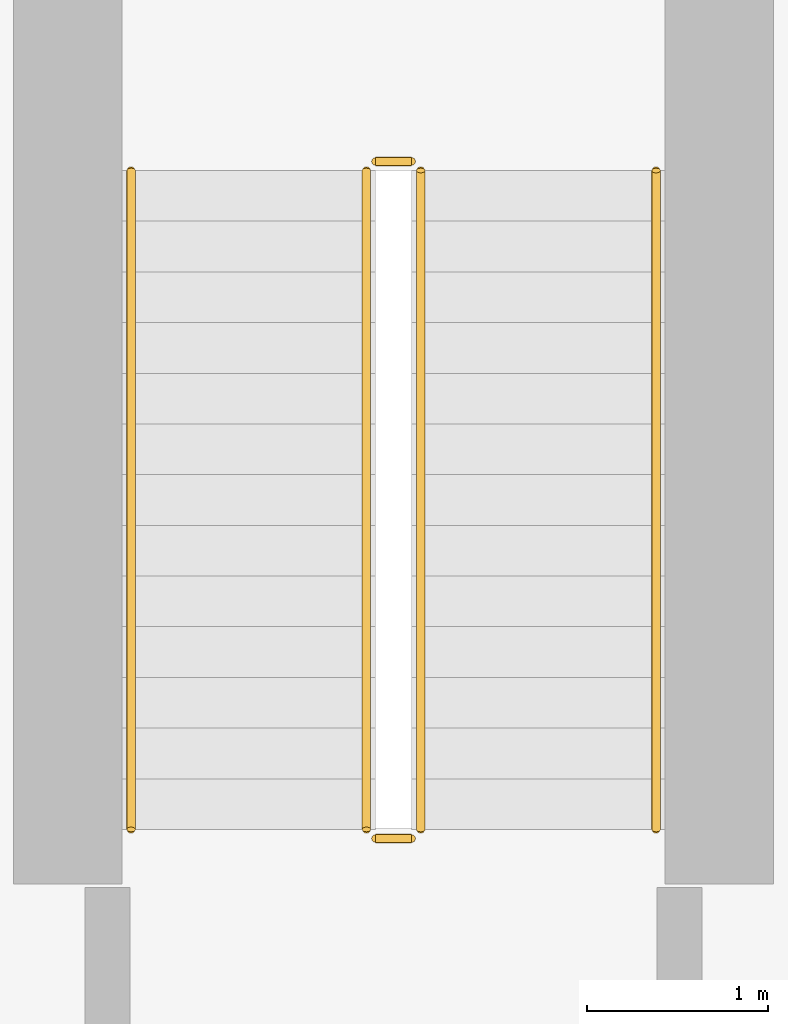
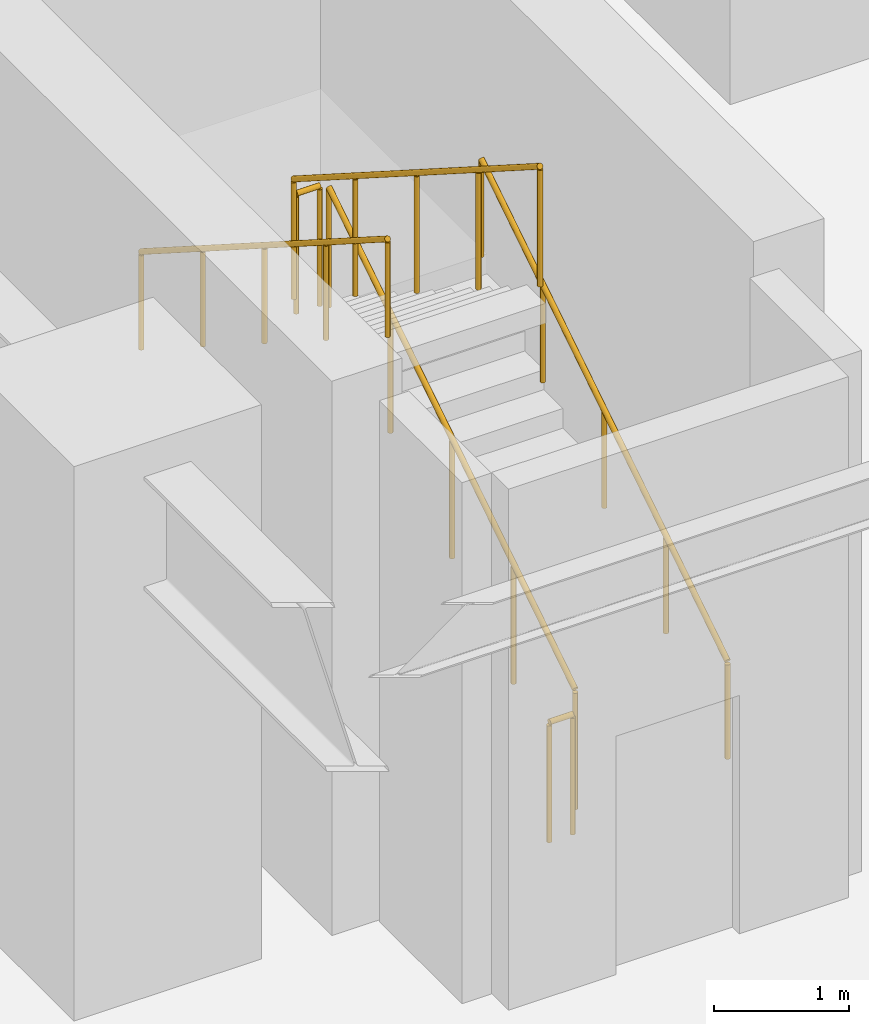
# One storey, part 11 of 12: 6 railings.
"""IFC4 building model written with IfcOpenShell, lengths in metres."""

from ifc_helpers import new_model, si_unit, direction, frame, origin, origin_2d, place, context, subcontext, project, spatial, circle, extrude, material, type_object, element, save


model = new_model("IFC4")

# Units and contexts
model_context = context("Model", 3, precision=1e-05, world=origin(), true_north=direction((0.0, 1.0)))
body_context = subcontext(model_context, "Body", "Model", "MODEL_VIEW")
ifc_project = project(units=[si_unit("LENGTHUNIT", "METRE"), si_unit("AREAUNIT", "SQUARE_METRE"), si_unit("VOLUMEUNIT", "CUBIC_METRE"), si_unit("PLANEANGLEUNIT", "RADIAN"), si_unit("MASSUNIT", "GRAM", prefix="KILO")], contexts=[model_context])

# Site, building, storey
site_placement = place(None, origin())
site = spatial("IfcSite", under=ifc_project, at=site_placement, CompositionType="ELEMENT")
building_placement = place(site_placement, origin())
building = spatial("IfcBuilding", under=site, at=building_placement, Name="Quenlor Broadcast Tower", CompositionType="ELEMENT")
storey_placement = place(building_placement, frame((0.0, 0.0, -5.0)))
storey = spatial("IfcBuildingStorey", under=building, at=storey_placement, Name="B01", CompositionType="ELEMENT", Elevation=-5.0)

# Railings
ifc_material_1 = material(Name="Anodised Aluminium", Category="aluminium")
railing_type_1 = type_object("IfcRailingType", Name="Stainless Aluminium Wall Handrail 900", PredefinedType="HANDRAIL", material=ifc_material_1)
railing_1_placement = place(storey_placement, frame((-29.64990234375, 14.5, 0.178466796875)))
element("IfcRailing", 1, at=railing_1_placement, inside=storey, type_object=railing_type_1, Name="B01 ST-3 stair handrail 1", PredefinedType="HANDRAIL", context=body_context, shape_type="SweptSolid", body=[
    extrude(circle(Radius=0.02392578125, at=origin_2d()), frame((0.0, 0.0, 0.8759765625), z_axis=(0.0, 0.843111507901, 0.53773877045), x_axis=(-1.0, 0.0, 0.0)), (0.0, 0.0, 1.0), 4.317138671875),
    extrude(circle(Radius=0.02099609375, at=origin_2d()), origin(), (0.0, 0.0, 1.0), 0.851806640625),
    extrude(circle(Radius=0.02099609375, at=origin_2d()), frame((0.0, 0.909912109375, 0.580322265625)), (0.0, 0.0, 1.0), 0.851806640625),
    extrude(circle(Radius=0.02099609375, at=origin_2d()), frame((0.0, 1.81982421875, 1.16064453125)), (0.0, 0.0, 1.0), 0.851806640625),
    extrude(circle(Radius=0.02099609375, at=origin_2d()), frame((0.0, 2.72998046875, 1.7412109375)), (0.0, 0.0, 1.0), 0.851806640625),
    extrude(circle(Radius=0.02099609375, at=origin_2d()), frame((0.0, 3.639892578125, 2.321533203125)), (0.0, 0.0, 1.0), 0.851806640625),
])
railing_2_placement = place(storey_placement, frame((-32.550048828125, 18.139892578125, 2.678466796875)))
element("IfcRailing", 2, at=railing_2_placement, inside=storey, type_object=railing_type_1, Name="B01 ST-3 stair handrail 2", PredefinedType="HANDRAIL", context=body_context, shape_type="SweptSolid", body=[
    extrude(circle(Radius=0.02392578125, at=origin_2d()), frame((0.0, 0.0, 0.8759765625), z_axis=(0.0, -0.843111507901, 0.53773877045), x_axis=(1.0, 0.0, 0.0)), (0.0, 0.0, 1.0), 4.317138671875),
    extrude(circle(Radius=0.02099609375, at=origin_2d()), origin(), (0.0, 0.0, 1.0), 0.851806640625),
    extrude(circle(Radius=0.02099609375, at=origin_2d()), frame((0.0, -0.909912109375, 0.580322265625)), (0.0, 0.0, 1.0), 0.851806640625),
    extrude(circle(Radius=0.02099609375, at=origin_2d()), frame((0.0, -1.81982421875, 1.16064453125)), (0.0, 0.0, 1.0), 0.851806640625),
    extrude(circle(Radius=0.02099609375, at=origin_2d()), frame((0.0, -2.72998046875, 1.7412109375)), (0.0, 0.0, 1.0), 0.851806640625),
    extrude(circle(Radius=0.02099609375, at=origin_2d()), frame((0.0, -3.639892578125, 2.321533203125)), (0.0, 0.0, 1.0), 0.851806640625),
])
ifc_material_2 = material(Name="Steel S355", Category="steel")
railing_type_2 = type_object("IfcRailingType", Name="Tubular Steel S355 Stair Guardrail 1100", PredefinedType="BALUSTRADE", material=ifc_material_2)
railing_3_placement = place(storey_placement, frame((-30.949951171875, 14.5, 0.178466796875)))
element("IfcRailing", 3, at=railing_3_placement, inside=storey, type_object=railing_type_2, Name="B01 ST-3 stair guard 1", PredefinedType="BALUSTRADE", context=body_context, shape_type="SweptSolid", body=[
    extrude(circle(Radius=0.02392578125, at=origin_2d()), frame((0.0, 0.0, 1.076171875), z_axis=(0.0, 0.843111507901, 0.53773877045), x_axis=(-1.0, 0.0, 0.0)), (0.0, 0.0, 1.0), 4.317138671875),
    extrude(circle(Radius=0.02099609375, at=origin_2d()), origin(), (0.0, 0.0, 1.0), 1.052001953125),
    extrude(circle(Radius=0.02099609375, at=origin_2d()), frame((0.0, 0.909912109375, 0.580322265625)), (0.0, 0.0, 1.0), 1.052001953125),
    extrude(circle(Radius=0.02099609375, at=origin_2d()), frame((0.0, 1.81982421875, 1.16064453125)), (0.0, 0.0, 1.0), 1.052001953125),
    extrude(circle(Radius=0.02099609375, at=origin_2d()), frame((0.0, 2.72998046875, 1.7412109375)), (0.0, 0.0, 1.0), 1.052001953125),
    extrude(circle(Radius=0.02099609375, at=origin_2d()), frame((0.0, 3.639892578125, 2.321533203125)), (0.0, 0.0, 1.0), 1.052001953125),
])
railing_4_placement = place(storey_placement, frame((-31.0, 18.18994140625, 2.5)))
element("IfcRailing", 4, at=railing_4_placement, inside=storey, type_object=railing_type_2, Name="B01 ST-3 stair guard 2", PredefinedType="BALUSTRADE", context=body_context, shape_type="SweptSolid", body=[
    extrude(circle(Radius=0.02392578125, at=origin_2d()), frame((0.0, 0.0, 1.076171875), z_axis=(-1.0, 0.0, 0.0), x_axis=(0.0, -1.0, 0.0)), (0.0, 0.0, 1.0), 0.199951171875),
    extrude(circle(Radius=0.02099609375, at=origin_2d()), origin(), (0.0, 0.0, 1.0), 1.052001953125),
    extrude(circle(Radius=0.02099609375, at=origin_2d()), frame((-0.199951171875, 0.0, 0.0)), (0.0, 0.0, 1.0), 1.052001953125),
])
railing_5_placement = place(storey_placement, frame((-31.25, 18.139892578125, 2.678466796875)))
element("IfcRailing", 5, at=railing_5_placement, inside=storey, type_object=railing_type_2, Name="B01 ST-3 stair guard 3", PredefinedType="BALUSTRADE", context=body_context, shape_type="SweptSolid", body=[
    extrude(circle(Radius=0.02392578125, at=origin_2d()), frame((0.0, 0.0, 1.076171875), z_axis=(0.0, -0.843111507901, 0.53773877045), x_axis=(1.0, 0.0, 0.0)), (0.0, 0.0, 1.0), 4.317138671875),
    extrude(circle(Radius=0.02099609375, at=origin_2d()), origin(), (0.0, 0.0, 1.0), 1.052001953125),
    extrude(circle(Radius=0.02099609375, at=origin_2d()), frame((0.0, -0.909912109375, 0.580322265625)), (0.0, 0.0, 1.0), 1.052001953125),
    extrude(circle(Radius=0.02099609375, at=origin_2d()), frame((0.0, -1.81982421875, 1.16064453125)), (0.0, 0.0, 1.0), 1.052001953125),
    extrude(circle(Radius=0.02099609375, at=origin_2d()), frame((0.0, -2.72998046875, 1.7412109375)), (0.0, 0.0, 1.0), 1.052001953125),
    extrude(circle(Radius=0.02099609375, at=origin_2d()), frame((0.0, -3.639892578125, 2.321533203125)), (0.0, 0.0, 1.0), 1.052001953125),
])
railing_6_placement = place(storey_placement, frame((-31.0, 14.449951171875, 0.0)))
element("IfcRailing", 6, at=railing_6_placement, inside=storey, type_object=railing_type_2, Name="B01 ST-3 stair guard 4", PredefinedType="BALUSTRADE", context=body_context, shape_type="SweptSolid", body=[
    extrude(circle(Radius=0.02392578125, at=origin_2d()), frame((0.0, 0.0, 1.076171875), z_axis=(-1.0, 0.0, 0.0), x_axis=(0.0, -1.0, 0.0)), (0.0, 0.0, 1.0), 0.199951171875),
    extrude(circle(Radius=0.02099609375, at=origin_2d()), origin(), (0.0, 0.0, 1.0), 1.052001953125),
    extrude(circle(Radius=0.02099609375, at=origin_2d()), frame((-0.199951171875, 0.0, 0.0)), (0.0, 0.0, 1.0), 1.052001953125),
])

save(model, "model.ifc")
